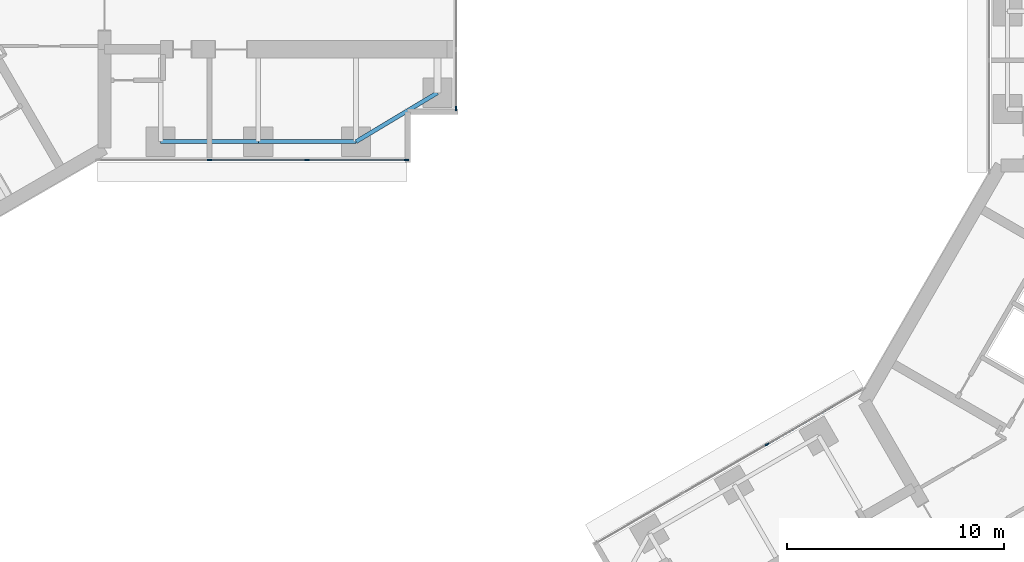
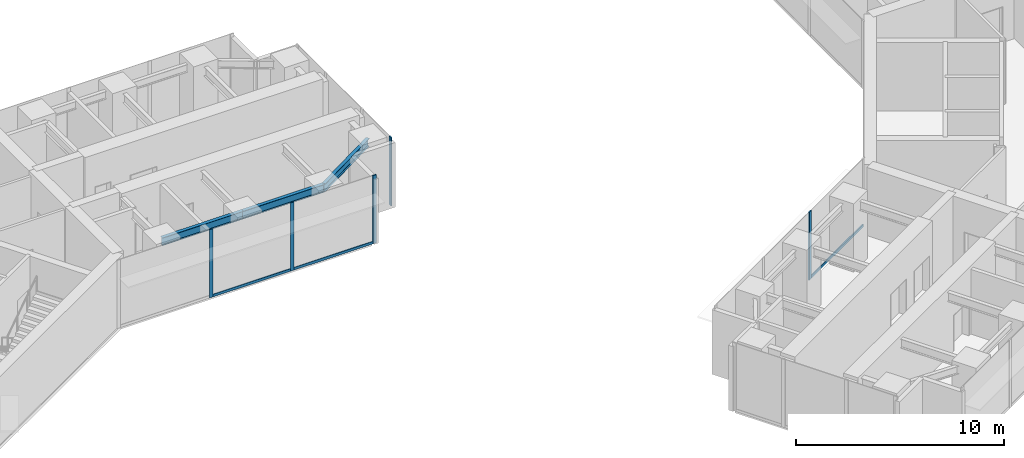
# One storey, part 4 of 21: 8 members, 3 beams, 3 elements without a shape of their own.
"""IFC4 building model written with IfcOpenShell, lengths in metres."""

from ifc_helpers import new_model, si_unit, direction, frame, origin, origin_2d, place, context, subcontext, project, spatial, rectangle, i_section, extrude, material, material_profile, profile_set, type_object, element, aggregate, save


model = new_model("IFC4")

# Units and contexts
model_context = context("Model", 3, precision=1e-05, world=origin(), true_north=direction((0.0, 1.0)))
body_context = subcontext(model_context, "Body", "Model", "MODEL_VIEW")
ifc_project = project(units=[si_unit("LENGTHUNIT", "METRE"), si_unit("AREAUNIT", "SQUARE_METRE"), si_unit("VOLUMEUNIT", "CUBIC_METRE"), si_unit("PLANEANGLEUNIT", "RADIAN"), si_unit("MASSUNIT", "GRAM", prefix="KILO")], contexts=[model_context])

# Site, building, storey
site_placement = place(None, origin())
site = spatial("IfcSite", under=ifc_project, at=site_placement, CompositionType="ELEMENT")
building_placement = place(site_placement, origin())
building = spatial("IfcBuilding", under=site, at=building_placement, Name="Upepo Twin Towers", CompositionType="ELEMENT")
storey_placement = place(building_placement, frame((0.0, 0.0, 105.5)))
storey = spatial("IfcBuildingStorey", under=building, at=storey_placement, Name="L25", CompositionType="ELEMENT", Elevation=105.5)

# Beams
ifc_material_1 = material(Name="Steel S355", Category="steel")
ifc_material_profile_1 = material_profile(ifc_material_1, i_section(OverallWidth=0.1904296875, OverallDepth=0.45703125, WebThickness=0.009033203125, FlangeThickness=0.014404296875, FilletRadius=0.01025390625, at=origin_2d()), Name="UB 457x191x74")
ifc_profile_set_1 = profile_set([ifc_material_profile_1], Name="Steel S355")
beam_type = type_object("IfcBeamType", Name="Beam UB 457x191x74", PredefinedType="BEAM", material=ifc_profile_set_1)
for number, where, z_axis, x_axis, name in (
    (1, (13.5, -6.0, 3.571533203125), (1.0, 0.0, 0.0), (0.0, 1.0, 0.0), "T1 edge beam AR 13.5-18.0"),
    (2, (18.0, -6.0, 3.571533203125), (1.0, 0.0, 0.0), (0.0, 1.0, 0.0), "T1 edge beam AR 18.0-22.5"),
):
    element("IfcBeam", number, at=place(storey_placement, frame(where, z_axis=z_axis, x_axis=x_axis)), inside=storey, type_object=beam_type, Name=name, PredefinedType="BEAM", context=body_context, shape_type="SweptSolid", body=[
        extrude(i_section(OverallWidth=0.1904296875, OverallDepth=0.45703125, WebThickness=0.009033203125, FlangeThickness=0.014404296875, FilletRadius=0.01025390625, at=origin_2d()), origin(), (0.0, 0.0, 1.0), 4.5),
    ])
beam_placement = place(storey_placement, frame((22.5, -6.0, 3.571533203125), z_axis=(0.857492925713, 0.514495755428, 0.0), x_axis=(-0.514495755428, 0.857492925713, 0.0)))
element("IfcBeam", 3, at=beam_placement, inside=storey, type_object=beam_type, Name="T1 nose edge beam AR", PredefinedType="BEAM", context=body_context, shape_type="SweptSolid", body=[
    extrude(i_section(OverallWidth=0.1904296875, OverallDepth=0.45703125, WebThickness=0.009033203125, FlangeThickness=0.014404296875, FilletRadius=0.01025390625, at=origin_2d()), origin(), (0.0, 0.0, 1.0), 4.373291015625),
])

# Curtain wall, members
ifc_material_2 = material(Name="Aluminium and fritted glass", Category="aluminium")
curtain_wall_type = type_object("IfcCurtainWallType", Name="Tower curtain wall TW2, fritted glass", PredefinedType="NOTDEFINED", material=ifc_material_2)
curtain_wall_1_placement = place(storey_placement, origin())
curtain_wall_1 = element("IfcCurtainWall", 4, at=curtain_wall_1_placement, inside=storey, type_object=curtain_wall_type, Name="T1 L25 wing A flank R curtain wall", PredefinedType="NOTDEFINED")
ifc_material_3 = material(Name="Aluminium mullion", Category="aluminium")
ifc_material_profile_2 = material_profile(ifc_material_3, rectangle(XDim=0.06494140625, YDim=0.199951171875, at=origin_2d()), Name="MULLION 65x200")
ifc_profile_set_2 = profile_set([ifc_material_profile_2], Name="Aluminium mullion")
member_type_1 = type_object("IfcMemberType", Name="Mullion 65x200 TW2", PredefinedType="MULLION", material=ifc_profile_set_2)
member_1_placement = place(storey_placement, frame((24.8173828125, -6.85009765625, 0.0), z_axis=(0.0, 0.0, 1.0), x_axis=(0.0, -1.0, 0.0)))
member_1 = element("IfcMember", 5, at=member_1_placement, type_object=member_type_1, Name="T1 L25 wing A flank R curtain wall mullion 1", PredefinedType="MULLION", context=body_context, shape_type="SweptSolid", body=[
    extrude(rectangle(XDim=0.06494140625, YDim=0.199951171875, at=origin_2d()), origin(), (0.0, 0.0, 1.0), 4.0),
])
member_2_placement = place(storey_placement, frame((20.25, -6.85009765625, 0.0), z_axis=(0.0, 0.0, 1.0), x_axis=(0.0, -1.0, 0.0)))
member_2 = element("IfcMember", 6, at=member_2_placement, type_object=member_type_1, Name="T1 L25 wing A flank R curtain wall mullion 2", PredefinedType="MULLION", context=body_context, shape_type="SweptSolid", body=[
    extrude(rectangle(XDim=0.06494140625, YDim=0.199951171875, at=origin_2d()), origin(), (0.0, 0.0, 1.0), 4.0),
])
member_3_placement = place(storey_placement, frame((15.75, -6.85009765625, 0.0), z_axis=(0.0, 0.0, 1.0), x_axis=(0.0, -1.0, 0.0)))
member_3 = element("IfcMember", 7, at=member_3_placement, type_object=member_type_1, Name="T1 L25 wing A flank R curtain wall mullion 3", PredefinedType="MULLION", context=body_context, shape_type="SweptSolid", body=[
    extrude(rectangle(XDim=0.06494140625, YDim=0.199951171875, at=origin_2d()), origin(), (0.0, 0.0, 1.0), 4.0),
])

# Curtain wall, member
curtain_wall_2_placement = place(storey_placement, origin())
curtain_wall_2 = element("IfcCurtainWall", 8, at=curtain_wall_2_placement, inside=storey, type_object=curtain_wall_type, Name="T1 L25 wing A nose curtain wall", PredefinedType="NOTDEFINED")
member_4_placement = place(storey_placement, frame((27.10009765625, -4.467529296875, 0.0), z_axis=(0.0, 0.0, 1.0), x_axis=(-1.0, 0.0, 0.0)))
member_4 = element("IfcMember", 9, at=member_4_placement, type_object=member_type_1, Name="T1 L25 wing A nose curtain wall mullion 1", PredefinedType="MULLION", context=body_context, shape_type="SweptSolid", body=[
    extrude(rectangle(XDim=0.06494140625, YDim=0.199951171875, at=origin_2d()), origin(), (0.0, 0.0, 1.0), 4.0),
])
aggregate(curtain_wall_2, [member_4])

curtain_wall_3_placement = place(storey_placement, origin())
curtain_wall_3 = element("IfcCurtainWall", 10, at=curtain_wall_3_placement, inside=storey, type_object=curtain_wall_type, Name="T2 L25 wing B flank R curtain wall", PredefinedType="NOTDEFINED")
member_5_placement = place(storey_placement, frame((41.43505859375, -19.942626953125, 0.0), z_axis=(0.0, 0.0, 1.0), x_axis=(-0.500000010308, 0.866025397833, 0.0)))
member_5 = element("IfcMember", 11, at=member_5_placement, type_object=member_type_1, Name="T2 L25 wing B flank R curtain wall mullion 3", PredefinedType="MULLION", context=body_context, shape_type="SweptSolid", body=[
    extrude(rectangle(XDim=0.06494140625, YDim=0.199951171875, at=origin_2d()), origin(), (0.0, 0.0, 1.0), 4.0),
])

# Member
ifc_material_4 = material(Name="Aluminium transom", Category="aluminium")
ifc_material_profile_3 = material_profile(ifc_material_4, rectangle(XDim=0.06494140625, YDim=0.14990234375, at=origin_2d()), Name="TRANSOM 65x150")
ifc_profile_set_3 = profile_set([ifc_material_profile_3], Name="Aluminium transom")
member_type_2 = type_object("IfcMemberType", Name="Transom 65x150 TW2", PredefinedType="USERDEFINED", material=ifc_profile_set_3)
member_6_placement = place(storey_placement, frame((24.784912109375, -6.85009765625, 0.074951171875), z_axis=(-1.0, 0.0, 0.0), x_axis=(0.0, -1.0, 0.0)))
member_6 = element("IfcMember", 12, at=member_6_placement, type_object=member_type_2, Name="T1 L25 wing A flank R curtain wall transom 1", ObjectType="TRANSOM", PredefinedType="USERDEFINED", context=body_context, shape_type="SweptSolid", body=[
    extrude(rectangle(XDim=0.06494140625, YDim=0.14990234375, at=origin_2d()), origin(), (0.0, 0.0, 1.0), 4.50244140625),
])

member_7_placement = place(storey_placement, frame((20.217529296875, -6.85009765625, 0.074951171875), z_axis=(-1.0, 0.0, 0.0), x_axis=(0.0, -1.0, 0.0)))
member_7 = element("IfcMember", 13, at=member_7_placement, type_object=member_type_2, Name="T1 L25 wing A flank R curtain wall transom 2", ObjectType="TRANSOM", PredefinedType="USERDEFINED", context=body_context, shape_type="SweptSolid", body=[
    extrude(rectangle(XDim=0.06494140625, YDim=0.14990234375, at=origin_2d()), origin(), (0.0, 0.0, 1.0), 4.43505859375),
])

aggregate(curtain_wall_1, [member_1, member_2, member_3, member_6, member_7])

member_8_placement = place(storey_placement, frame((41.463134765625, -19.926513671875, 0.074951171875), z_axis=(0.866033897268, 0.499985288567, 0.0), x_axis=(-0.499985288567, 0.866033897268, 0.0)))
member_8 = element("IfcMember", 14, at=member_8_placement, type_object=member_type_2, Name="T2 L25 wing B flank R curtain wall transom 3", ObjectType="TRANSOM", PredefinedType="USERDEFINED", context=body_context, shape_type="SweptSolid", body=[
    extrude(rectangle(XDim=0.06494140625, YDim=0.14990234375, at=origin_2d()), origin(), (0.0, 0.0, 1.0), 5.065673828125),
])

aggregate(curtain_wall_3, [member_5, member_8])

save(model, "model.ifc")
